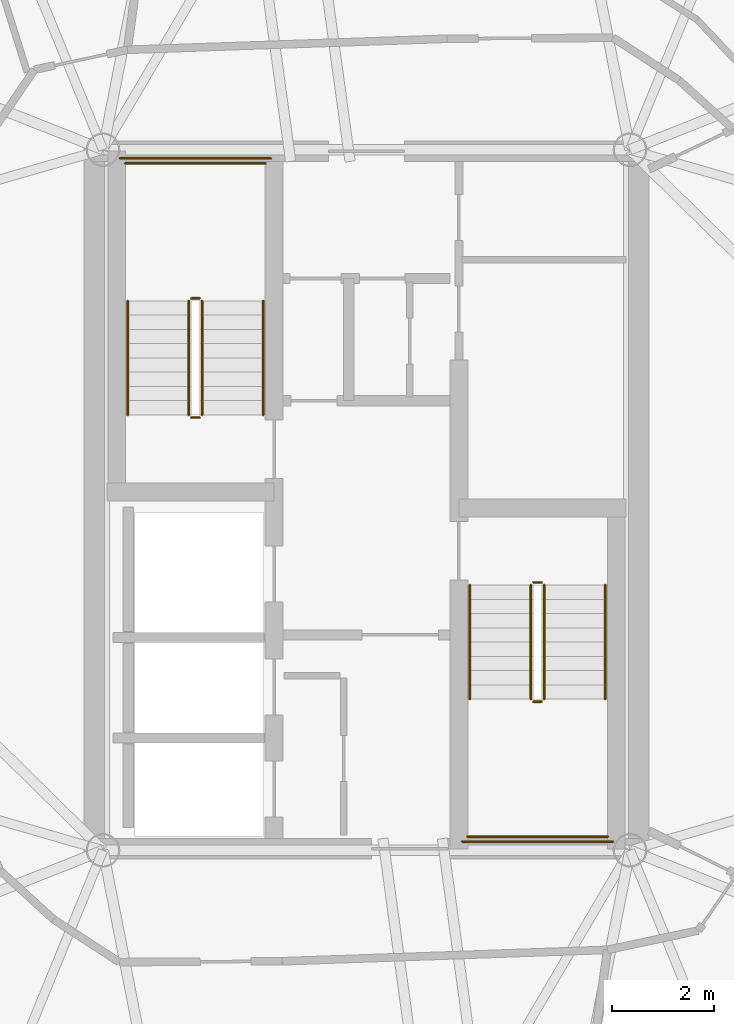
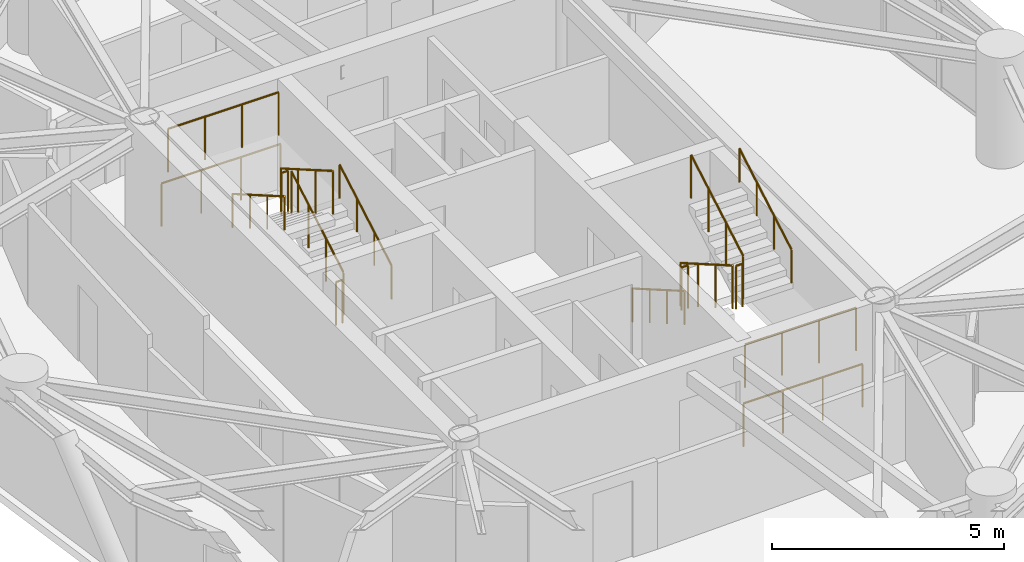
# One storey, part 15 of 16: 16 railings.
"""IFC4 building model written with IfcOpenShell, lengths in metres."""

from ifc_helpers import new_model, si_unit, direction, frame, origin, origin_2d, place, context, subcontext, project, spatial, circle, extrude, material, type_object, element, save


model = new_model("IFC4")

# Units and contexts
model_context = context("Model", 3, precision=1e-05, world=origin(), true_north=direction((0.0, 1.0)))
body_context = subcontext(model_context, "Body", "Model", "MODEL_VIEW")
ifc_project = project(units=[si_unit("LENGTHUNIT", "METRE"), si_unit("AREAUNIT", "SQUARE_METRE"), si_unit("VOLUMEUNIT", "CUBIC_METRE"), si_unit("PLANEANGLEUNIT", "RADIAN"), si_unit("MASSUNIT", "GRAM", prefix="KILO")], contexts=[model_context])

# Site, building, storey
site_placement = place(None, origin())
site = spatial("IfcSite", under=ifc_project, at=site_placement, CompositionType="ELEMENT")
building_placement = place(site_placement, origin())
building = spatial("IfcBuilding", under=site, at=building_placement, Name="Cununo Teusaquillo Station Towers", CompositionType="ELEMENT")
storey_placement = place(building_placement, frame((0.0, 0.0, 219.93994140625)))
storey = spatial("IfcBuildingStorey", under=building, at=storey_placement, Name="L70", CompositionType="ELEMENT", Elevation=219.93994140625)

# Railings
ifc_material_1 = material(Name="Steel EN 10025-2 S355J2", Category="steel")
railing_type_1 = type_object("IfcRailingType", Name="RL-INT-GUARD", PredefinedType="GUARDRAIL", material=ifc_material_1)
railing_1_placement = place(storey_placement, frame((13.27001953125, 26.169921875, 0.16162109375)))
element("IfcRailing", 1, at=railing_1_placement, inside=storey, type_object=railing_type_1, Name="L70 ST-T1-1 stair guard 1", PredefinedType="GUARDRAIL", context=body_context, shape_type="SweptSolid", body=[
    extrude(circle(Radius=0.02392578125, at=origin_2d()), frame((0.0, 0.0, 1.1259765625), z_axis=(0.0, 0.865992244559, 0.500057429065), x_axis=(-1.0, 0.0, 0.0)), (0.0, 0.0, 1.0), 2.586669921875),
    extrude(circle(Radius=0.02099609375, at=origin_2d()), origin(), (0.0, 0.0, 1.0), 1.101806640625),
    extrude(circle(Radius=0.02099609375, at=origin_2d()), frame((0.0, 0.74658203125, 0.43115234375)), (0.0, 0.0, 1.0), 1.101806640625),
    extrude(circle(Radius=0.02099609375, at=origin_2d()), frame((0.0, 1.493408203125, 0.8623046875)), (0.0, 0.0, 1.0), 1.101806640625),
    extrude(circle(Radius=0.02099609375, at=origin_2d()), frame((0.0, 2.239990234375, 1.29345703125)), (0.0, 0.0, 1.0), 1.101806640625),
])
railing_2_placement = place(storey_placement, frame((13.219970703125, 28.4599609375, 1.455078125)))
element("IfcRailing", 2, at=railing_2_placement, inside=storey, type_object=railing_type_1, Name="L70 ST-T1-1 stair guard 2", PredefinedType="GUARDRAIL", context=body_context, shape_type="SweptSolid", body=[
    extrude(circle(Radius=0.02392578125, at=origin_2d()), frame((0.0, 0.0, 1.1259765625), z_axis=(-1.0, 0.0, 0.0), x_axis=(0.0, -1.0, 0.0)), (0.0, 0.0, 1.0), 0.159912109375),
    extrude(circle(Radius=0.02099609375, at=origin_2d()), origin(), (0.0, 0.0, 1.0), 1.101806640625),
    extrude(circle(Radius=0.02099609375, at=origin_2d()), frame((-0.159912109375, 0.0, 0.0)), (0.0, 0.0, 1.0), 1.101806640625),
])
railing_3_placement = place(storey_placement, frame((14.52001953125, 31.110107421875, 1.455078125)))
element("IfcRailing", 3, at=railing_3_placement, inside=storey, type_object=railing_type_1, Name="L70 ST-T1-1 stair guard 3", PredefinedType="GUARDRAIL", context=body_context, shape_type="SweptSolid", body=[
    extrude(circle(Radius=0.02392578125, at=origin_2d()), frame((0.0, 0.0, 1.1259765625), z_axis=(-1.0, 0.0, 0.0), x_axis=(0.0, -1.0, 0.0)), (0.0, 0.0, 1.0), 2.760009765625),
    extrude(circle(Radius=0.02099609375, at=origin_2d()), origin(), (0.0, 0.0, 1.0), 1.101806640625),
    extrude(circle(Radius=0.02099609375, at=origin_2d()), frame((-0.919921875, 0.0, 0.0)), (0.0, 0.0, 1.0), 1.101806640625),
    extrude(circle(Radius=0.02099609375, at=origin_2d()), frame((-1.840087890625, 0.0, 0.0)), (0.0, 0.0, 1.0), 1.101806640625),
    extrude(circle(Radius=0.02099609375, at=origin_2d()), frame((-2.760009765625, 0.0, 0.0)), (0.0, 0.0, 1.0), 1.101806640625),
])
railing_4_placement = place(storey_placement, frame((13.010009765625, 28.409912109375, 1.61669921875)))
element("IfcRailing", 4, at=railing_4_placement, inside=storey, type_object=railing_type_1, Name="L70 ST-T1-1 stair guard 4", PredefinedType="GUARDRAIL", context=body_context, shape_type="SweptSolid", body=[
    extrude(circle(Radius=0.02392578125, at=origin_2d()), frame((0.0, 0.0, 1.1259765625), z_axis=(0.0, -0.865992244559, 0.500057429065), x_axis=(1.0, 0.0, 0.0)), (0.0, 0.0, 1.0), 2.586669921875),
    extrude(circle(Radius=0.02099609375, at=origin_2d()), origin(), (0.0, 0.0, 1.0), 1.101806640625),
    extrude(circle(Radius=0.02099609375, at=origin_2d()), frame((0.0, -0.74658203125, 0.43115234375)), (0.0, 0.0, 1.0), 1.101806640625),
    extrude(circle(Radius=0.02099609375, at=origin_2d()), frame((0.0, -1.493408203125, 0.8623046875)), (0.0, 0.0, 1.0), 1.101806640625),
    extrude(circle(Radius=0.02099609375, at=origin_2d()), frame((0.0, -2.239990234375, 1.29345703125)), (0.0, 0.0, 1.0), 1.101806640625),
])
railing_5_placement = place(storey_placement, frame((13.219970703125, 26.1201171875, 0.0)))
element("IfcRailing", 5, at=railing_5_placement, inside=storey, type_object=railing_type_1, Name="L70 ST-T1-1 stair guard 5", PredefinedType="GUARDRAIL", context=body_context, shape_type="SweptSolid", body=[
    extrude(circle(Radius=0.02392578125, at=origin_2d()), frame((0.0, 0.0, 1.1259765625), z_axis=(-1.0, 0.0, 0.0), x_axis=(0.0, -1.0, 0.0)), (0.0, 0.0, 1.0), 0.159912109375),
    extrude(circle(Radius=0.02099609375, at=origin_2d()), origin(), (0.0, 0.0, 1.0), 1.101806640625),
    extrude(circle(Radius=0.02099609375, at=origin_2d()), frame((-0.159912109375, 0.0, 0.0)), (0.0, 0.0, 1.0), 1.101806640625),
])
railing_6_placement = place(storey_placement, frame((14.6201171875, 31.2099609375, 0.0)))
element("IfcRailing", 6, at=railing_6_placement, inside=storey, type_object=railing_type_1, Name="L70 ST-T1-1 stair guard 6", PredefinedType="GUARDRAIL", context=body_context, shape_type="SweptSolid", body=[
    extrude(circle(Radius=0.02392578125, at=origin_2d()), frame((0.0, 0.0, 1.1259765625), z_axis=(-1.0, 0.0, 0.0), x_axis=(0.0, -1.0, 0.0)), (0.0, 0.0, 1.0), 2.960205078125),
    extrude(circle(Radius=0.02099609375, at=origin_2d()), origin(), (0.0, 0.0, 1.0), 1.101806640625),
    extrude(circle(Radius=0.02099609375, at=origin_2d()), frame((-0.98681640625, 0.0, 0.0)), (0.0, 0.0, 1.0), 1.101806640625),
    extrude(circle(Radius=0.02099609375, at=origin_2d()), frame((-1.973388671875, 0.0, 0.0)), (0.0, 0.0, 1.0), 1.101806640625),
    extrude(circle(Radius=0.02099609375, at=origin_2d()), frame((-2.960205078125, 0.0, 0.0)), (0.0, 0.0, 1.0), 1.101806640625),
])
railing_7_placement = place(storey_placement, frame((19.72998046875, 22.830078125, 0.16162109375)))
element("IfcRailing", 7, at=railing_7_placement, inside=storey, type_object=railing_type_1, Name="L70 ST-T1-2 stair guard 1", PredefinedType="GUARDRAIL", context=body_context, shape_type="SweptSolid", body=[
    extrude(circle(Radius=0.02392578125, at=origin_2d()), frame((0.0, 0.0, 1.1259765625), z_axis=(0.0, -0.865992244559, 0.500057429065), x_axis=(1.0, 0.0, 0.0)), (0.0, 0.0, 1.0), 2.586669921875),
    extrude(circle(Radius=0.02099609375, at=origin_2d()), origin(), (0.0, 0.0, 1.0), 1.101806640625),
    extrude(circle(Radius=0.02099609375, at=origin_2d()), frame((0.0, -0.74658203125, 0.43115234375)), (0.0, 0.0, 1.0), 1.101806640625),
    extrude(circle(Radius=0.02099609375, at=origin_2d()), frame((0.0, -1.493408203125, 0.8623046875)), (0.0, 0.0, 1.0), 1.101806640625),
    extrude(circle(Radius=0.02099609375, at=origin_2d()), frame((0.0, -2.239990234375, 1.29345703125)), (0.0, 0.0, 1.0), 1.101806640625),
])
railing_8_placement = place(storey_placement, frame((19.780029296875, 20.5400390625, 1.455078125)))
element("IfcRailing", 8, at=railing_8_placement, inside=storey, type_object=railing_type_1, Name="L70 ST-T1-2 stair guard 2", PredefinedType="GUARDRAIL", context=body_context, shape_type="SweptSolid", body=[
    extrude(circle(Radius=0.02392578125, at=origin_2d()), frame((0.0, 0.0, 1.1259765625), z_axis=(1.0, 0.0, 0.0), x_axis=(0.0, 1.0, 0.0)), (0.0, 0.0, 1.0), 0.159912109375),
    extrude(circle(Radius=0.02099609375, at=origin_2d()), origin(), (0.0, 0.0, 1.0), 1.101806640625),
    extrude(circle(Radius=0.02099609375, at=origin_2d()), frame((0.159912109375, 0.0, 0.0)), (0.0, 0.0, 1.0), 1.101806640625),
])
railing_9_placement = place(storey_placement, frame((18.47998046875, 17.889892578125, 1.455078125)))
element("IfcRailing", 9, at=railing_9_placement, inside=storey, type_object=railing_type_1, Name="L70 ST-T1-2 stair guard 3", PredefinedType="GUARDRAIL", context=body_context, shape_type="SweptSolid", body=[
    extrude(circle(Radius=0.02392578125, at=origin_2d()), frame((0.0, 0.0, 1.1259765625), z_axis=(1.0, 0.0, 0.0), x_axis=(0.0, 1.0, 0.0)), (0.0, 0.0, 1.0), 2.760009765625),
    extrude(circle(Radius=0.02099609375, at=origin_2d()), origin(), (0.0, 0.0, 1.0), 1.101806640625),
    extrude(circle(Radius=0.02099609375, at=origin_2d()), frame((0.919921875, 0.0, 0.0)), (0.0, 0.0, 1.0), 1.101806640625),
    extrude(circle(Radius=0.02099609375, at=origin_2d()), frame((1.840087890625, 0.0, 0.0)), (0.0, 0.0, 1.0), 1.101806640625),
    extrude(circle(Radius=0.02099609375, at=origin_2d()), frame((2.760009765625, 0.0, 0.0)), (0.0, 0.0, 1.0), 1.101806640625),
])
railing_10_placement = place(storey_placement, frame((19.989990234375, 20.590087890625, 1.61669921875)))
element("IfcRailing", 10, at=railing_10_placement, inside=storey, type_object=railing_type_1, Name="L70 ST-T1-2 stair guard 4", PredefinedType="GUARDRAIL", context=body_context, shape_type="SweptSolid", body=[
    extrude(circle(Radius=0.02392578125, at=origin_2d()), frame((0.0, 0.0, 1.1259765625), z_axis=(0.0, 0.865992244559, 0.500057429065), x_axis=(-1.0, 0.0, 0.0)), (0.0, 0.0, 1.0), 2.586669921875),
    extrude(circle(Radius=0.02099609375, at=origin_2d()), origin(), (0.0, 0.0, 1.0), 1.101806640625),
    extrude(circle(Radius=0.02099609375, at=origin_2d()), frame((0.0, 0.74658203125, 0.43115234375)), (0.0, 0.0, 1.0), 1.101806640625),
    extrude(circle(Radius=0.02099609375, at=origin_2d()), frame((0.0, 1.493408203125, 0.8623046875)), (0.0, 0.0, 1.0), 1.101806640625),
    extrude(circle(Radius=0.02099609375, at=origin_2d()), frame((0.0, 2.239990234375, 1.29345703125)), (0.0, 0.0, 1.0), 1.101806640625),
])
railing_11_placement = place(storey_placement, frame((19.780029296875, 22.8798828125, 0.0)))
element("IfcRailing", 11, at=railing_11_placement, inside=storey, type_object=railing_type_1, Name="L70 ST-T1-2 stair guard 5", PredefinedType="GUARDRAIL", context=body_context, shape_type="SweptSolid", body=[
    extrude(circle(Radius=0.02392578125, at=origin_2d()), frame((0.0, 0.0, 1.1259765625), z_axis=(1.0, 0.0, 0.0), x_axis=(0.0, 1.0, 0.0)), (0.0, 0.0, 1.0), 0.159912109375),
    extrude(circle(Radius=0.02099609375, at=origin_2d()), origin(), (0.0, 0.0, 1.0), 1.101806640625),
    extrude(circle(Radius=0.02099609375, at=origin_2d()), frame((0.159912109375, 0.0, 0.0)), (0.0, 0.0, 1.0), 1.101806640625),
])
railing_12_placement = place(storey_placement, frame((18.3798828125, 17.7900390625, 0.0)))
element("IfcRailing", 12, at=railing_12_placement, inside=storey, type_object=railing_type_1, Name="L70 ST-T1-2 stair guard 6", PredefinedType="GUARDRAIL", context=body_context, shape_type="SweptSolid", body=[
    extrude(circle(Radius=0.02392578125, at=origin_2d()), frame((0.0, 0.0, 1.1259765625), z_axis=(1.0, 0.0, 0.0), x_axis=(0.0, 1.0, 0.0)), (0.0, 0.0, 1.0), 2.960205078125),
    extrude(circle(Radius=0.02099609375, at=origin_2d()), origin(), (0.0, 0.0, 1.0), 1.101806640625),
    extrude(circle(Radius=0.02099609375, at=origin_2d()), frame((0.98681640625, 0.0, 0.0)), (0.0, 0.0, 1.0), 1.101806640625),
    extrude(circle(Radius=0.02099609375, at=origin_2d()), frame((1.973388671875, 0.0, 0.0)), (0.0, 0.0, 1.0), 1.101806640625),
    extrude(circle(Radius=0.02099609375, at=origin_2d()), frame((2.960205078125, 0.0, 0.0)), (0.0, 0.0, 1.0), 1.101806640625),
])
ifc_material_2 = material(Name="Steel EN 10025-2 S355J2", Category="steel")
railing_type_2 = type_object("IfcRailingType", Name="RL-INT-HRAIL", PredefinedType="HANDRAIL", material=ifc_material_2)
railing_13_placement = place(storey_placement, frame((14.469970703125, 26.169921875, 0.16162109375)))
element("IfcRailing", 13, at=railing_13_placement, inside=storey, type_object=railing_type_2, Name="L70 ST-T1-1 stair handrail 1", PredefinedType="HANDRAIL", context=body_context, shape_type="SweptSolid", body=[
    extrude(circle(Radius=0.02392578125, at=origin_2d()), frame((0.0, 0.0, 0.8759765625), z_axis=(0.0, 0.865992244559, 0.500057429065), x_axis=(-1.0, 0.0, 0.0)), (0.0, 0.0, 1.0), 2.586669921875),
    extrude(circle(Radius=0.02099609375, at=origin_2d()), origin(), (0.0, 0.0, 1.0), 0.851806640625),
    extrude(circle(Radius=0.02099609375, at=origin_2d()), frame((0.0, 0.74658203125, 0.43115234375)), (0.0, 0.0, 1.0), 0.851806640625),
    extrude(circle(Radius=0.02099609375, at=origin_2d()), frame((0.0, 1.493408203125, 0.8623046875)), (0.0, 0.0, 1.0), 0.851806640625),
    extrude(circle(Radius=0.02099609375, at=origin_2d()), frame((0.0, 2.239990234375, 1.29345703125)), (0.0, 0.0, 1.0), 0.851806640625),
])
for number, where, name in (
    (14, (11.81005859375, 28.409912109375, 1.61669921875), "L70 ST-T1-1 stair handrail 2"),
    (15, (18.530029296875, 22.830078125, 0.16162109375), "L70 ST-T1-2 stair handrail 1"),
):
    element("IfcRailing", number, at=place(storey_placement, frame(where)), inside=storey, type_object=railing_type_2, Name=name, PredefinedType="HANDRAIL", context=body_context, shape_type="SweptSolid", body=[
        extrude(circle(Radius=0.02392578125, at=origin_2d()), frame((0.0, 0.0, 0.8759765625), z_axis=(0.0, -0.865992244559, 0.500057429065), x_axis=(1.0, 0.0, 0.0)), (0.0, 0.0, 1.0), 2.586669921875),
        extrude(circle(Radius=0.02099609375, at=origin_2d()), origin(), (0.0, 0.0, 1.0), 0.851806640625),
        extrude(circle(Radius=0.02099609375, at=origin_2d()), frame((0.0, -0.74658203125, 0.43115234375)), (0.0, 0.0, 1.0), 0.851806640625),
        extrude(circle(Radius=0.02099609375, at=origin_2d()), frame((0.0, -1.493408203125, 0.8623046875)), (0.0, 0.0, 1.0), 0.851806640625),
        extrude(circle(Radius=0.02099609375, at=origin_2d()), frame((0.0, -2.239990234375, 1.29345703125)), (0.0, 0.0, 1.0), 0.851806640625),
    ])
railing_14_placement = place(storey_placement, frame((21.18994140625, 20.590087890625, 1.61669921875)))
element("IfcRailing", 16, at=railing_14_placement, inside=storey, type_object=railing_type_2, Name="L70 ST-T1-2 stair handrail 2", PredefinedType="HANDRAIL", context=body_context, shape_type="SweptSolid", body=[
    extrude(circle(Radius=0.02392578125, at=origin_2d()), frame((0.0, 0.0, 0.8759765625), z_axis=(0.0, 0.865992244559, 0.500057429065), x_axis=(-1.0, 0.0, 0.0)), (0.0, 0.0, 1.0), 2.586669921875),
    extrude(circle(Radius=0.02099609375, at=origin_2d()), origin(), (0.0, 0.0, 1.0), 0.851806640625),
    extrude(circle(Radius=0.02099609375, at=origin_2d()), frame((0.0, 0.74658203125, 0.43115234375)), (0.0, 0.0, 1.0), 0.851806640625),
    extrude(circle(Radius=0.02099609375, at=origin_2d()), frame((0.0, 1.493408203125, 0.8623046875)), (0.0, 0.0, 1.0), 0.851806640625),
    extrude(circle(Radius=0.02099609375, at=origin_2d()), frame((0.0, 2.239990234375, 1.29345703125)), (0.0, 0.0, 1.0), 0.851806640625),
])

save(model, "model.ifc")
